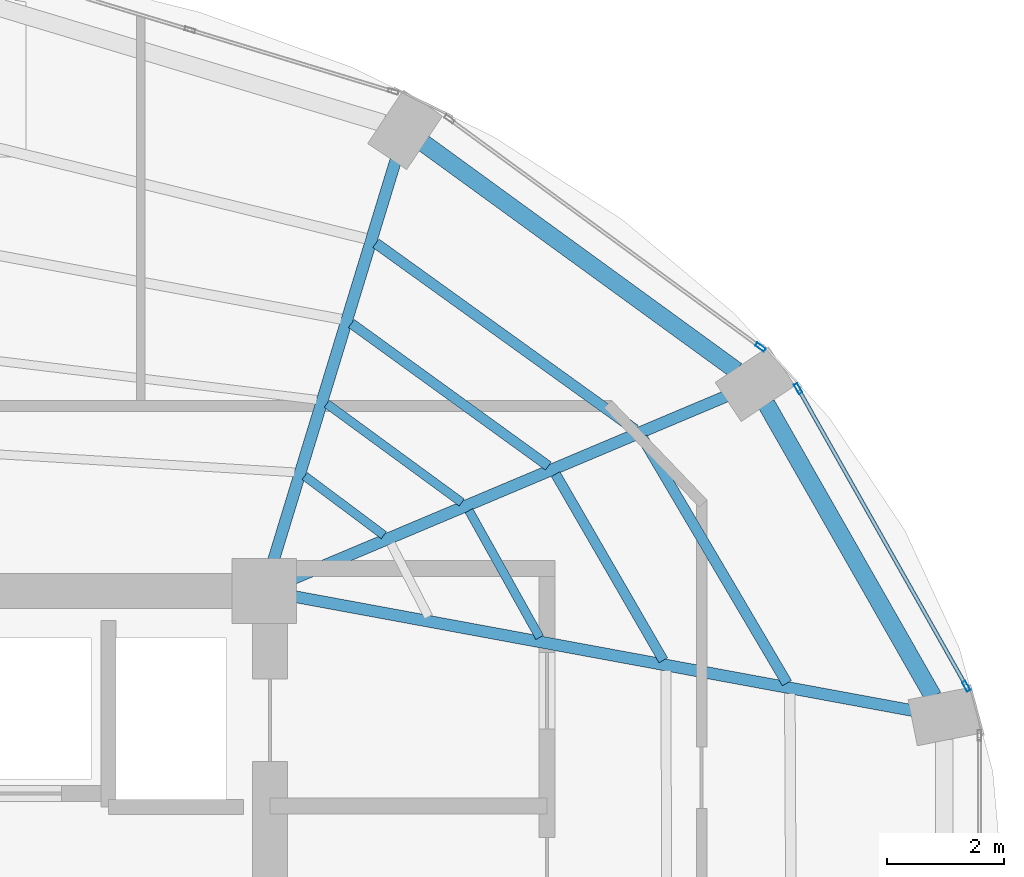
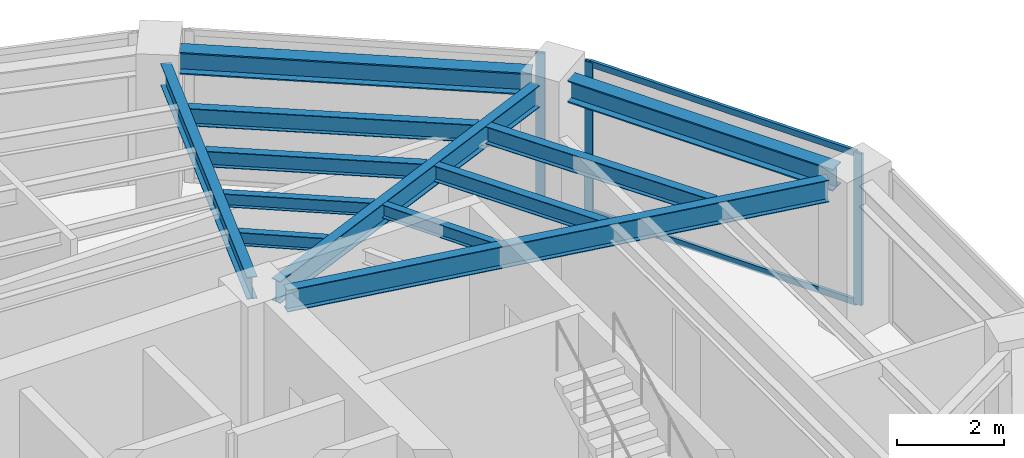
# One storey, part 15 of 23: 12 beams, 5 members, 2 elements without a shape of their own.
"""IFC4 building model written with IfcOpenShell, lengths in metres."""

from ifc_helpers import new_model, si_unit, direction, frame, origin, origin_2d, place, context, subcontext, project, spatial, hollow_rectangle, i_section, extrude, material, layer, layer_set, material_profile, profile_set, type_object, element, aggregate, save


model = new_model("IFC4")

# Units and contexts
model_context = context("Model", 3, precision=1e-05, world=origin(), true_north=direction((0.0, 1.0)))
body_context = subcontext(model_context, "Body", "Model", "MODEL_VIEW")
ifc_project = project(units=[si_unit("LENGTHUNIT", "METRE"), si_unit("AREAUNIT", "SQUARE_METRE"), si_unit("VOLUMEUNIT", "CUBIC_METRE"), si_unit("PLANEANGLEUNIT", "RADIAN"), si_unit("MASSUNIT", "GRAM", prefix="KILO")], contexts=[model_context])

# Site, building, storey
site_placement = place(None, origin())
site = spatial("IfcSite", under=ifc_project, at=site_placement, CompositionType="ELEMENT")
building_placement = place(site_placement, origin())
building = spatial("IfcBuilding", under=site, at=building_placement, Name="Lazwardi Medical Tower", CompositionType="ELEMENT")
storey_placement = place(building_placement, frame((0.0, 0.0, 205.77587890625)))
storey = spatial("IfcBuildingStorey", under=building, at=storey_placement, Name="L53", CompositionType="ELEMENT", Elevation=205.77587890625)

# Beams
ifc_material_1 = material(Name="Steel S355", Category="steel")
ifc_material_profile_1 = material_profile(ifc_material_1, i_section(OverallWidth=0.300048828125, OverallDepth=0.5, WebThickness=0.014404296875, FlangeThickness=0.028076171875, at=origin_2d()), Name="HEB 500")
ifc_profile_set_1 = profile_set([ifc_material_profile_1], Name="Steel S355")
beam_type_1 = type_object("IfcBeamType", Name="BM-RB-Z4", PredefinedType="BEAM", material=ifc_profile_set_1)
beam_1_placement = place(storey_placement, frame((56.991943359375, 33.8017578125, 3.1982421875), z_axis=(-0.495125273299, 0.868821594886, 0.0), x_axis=(-0.868821594886, -0.495125273299, 0.0)))
element("IfcBeam", 1, at=beam_1_placement, inside=storey, type_object=beam_type_1, Name="Ring beam RB-05 B05 L53", PredefinedType="BEAM", context=body_context, shape_type="SweptSolid", body=[
    extrude(i_section(OverallWidth=0.300048828125, OverallDepth=0.5, WebThickness=0.014404296875, FlangeThickness=0.028076171875, at=origin_2d()), origin(), (0.0, 0.0, 1.0), 5.734130859375),
])
beam_2_placement = place(storey_placement, frame((53.644287109375, 39.351806640625, 3.1982421875), z_axis=(-0.808889916254, 0.587960120571, 0.0), x_axis=(-0.587960120571, -0.808889916254, 0.0)))
element("IfcBeam", 2, at=beam_2_placement, inside=storey, type_object=beam_type_1, Name="Ring beam RB-05 B06 L53", PredefinedType="BEAM", context=body_context, shape_type="SweptSolid", body=[
    extrude(i_section(OverallWidth=0.300048828125, OverallDepth=0.5, WebThickness=0.014404296875, FlangeThickness=0.028076171875, at=origin_2d()), origin(), (0.0, 0.0, 1.0), 6.587158203125),
])
ifc_material_profile_2 = material_profile(ifc_material_1, i_section(OverallWidth=0.199951171875, OverallDepth=0.5, WebThickness=0.01025390625, FlangeThickness=0.01611328125, at=origin_2d()), Name="IPE 500")
ifc_profile_set_2 = profile_set([ifc_material_profile_2], Name="Steel S355")
beam_type_2 = type_object("IfcBeamType", Name="BM-RG-W3", PredefinedType="BEAM", material=ifc_profile_set_2)
beam_3_placement = place(storey_placement, frame((56.658935546875, 33.56005859375, 3.1982421875), z_axis=(-0.983409341459, 0.181400295288, 0.0), x_axis=(-0.181400295288, -0.983409341459, 0.0)))
element("IfcBeam", 3, at=beam_3_placement, inside=storey, type_object=beam_type_2, Name="Radial girder RG-04 R05 L53", PredefinedType="BEAM", context=body_context, shape_type="SweptSolid", body=[
    extrude(i_section(OverallWidth=0.199951171875, OverallDepth=0.5, WebThickness=0.01025390625, FlangeThickness=0.01611328125, at=origin_2d()), origin(), (0.0, 0.0, 1.0), 10.71044921875),
])
beam_4_placement = place(storey_placement, frame((53.466796875, 38.914794921875, 3.1982421875), z_axis=(-0.921526791352, -0.388314785735, 0.0), x_axis=(0.388314785735, -0.921526791352, 0.0)))
element("IfcBeam", 4, at=beam_4_placement, inside=storey, type_object=beam_type_2, Name="Radial girder RG-04 R06 L53", PredefinedType="BEAM", context=body_context, shape_type="SweptSolid", body=[
    extrude(i_section(OverallWidth=0.199951171875, OverallDepth=0.5, WebThickness=0.01025390625, FlangeThickness=0.01611328125, at=origin_2d()), origin(), (0.0, 0.0, 1.0), 8.001708984375),
])
beam_5_placement = place(storey_placement, frame((47.843994140625, 42.9423828125, 3.1982421875), z_axis=(-0.292276716539, -0.956333791607, 0.0), x_axis=(0.956333791607, -0.292276716539, 0.0)))
element("IfcBeam", 5, at=beam_5_placement, inside=storey, type_object=beam_type_2, Name="Radial girder RG-04 R07 L53", PredefinedType="BEAM", context=body_context, shape_type="SweptSolid", body=[
    extrude(i_section(OverallWidth=0.199951171875, OverallDepth=0.5, WebThickness=0.01025390625, FlangeThickness=0.01611328125, at=origin_2d()), origin(), (0.0, 0.0, 1.0), 7.142822265625),
])
ifc_material_profile_3 = material_profile(ifc_material_1, i_section(OverallWidth=0.179931640625, OverallDepth=0.39990234375, WebThickness=0.008544921875, FlangeThickness=0.013427734375, at=origin_2d()), Name="IPE 400")
ifc_profile_set_3 = profile_set([ifc_material_profile_3], Name="Steel S355")
beam_type_3 = type_object("IfcBeamType", Name="BM-SJ-01", PredefinedType="JOIST", material=ifc_profile_set_3)
beam_6_placement = place(storey_placement, frame((54.504150390625, 34.030517578125, 3.248046875), z_axis=(-0.507710311367, 0.861527851977, 0.0), x_axis=(-0.861527851977, -0.507710311367, 0.0)))
element("IfcBeam", 6, at=beam_6_placement, inside=storey, type_object=beam_type_3, Name="Secondary joist SJ-01 R1 B05 L53", PredefinedType="JOIST", context=body_context, shape_type="SweptSolid", body=[
    extrude(i_section(OverallWidth=0.179931640625, OverallDepth=0.39990234375, WebThickness=0.008544921875, FlangeThickness=0.013427734375, at=origin_2d()), origin(), (0.0, 0.0, 1.0), 4.852783203125),
])
beam_7_placement = place(storey_placement, frame((51.914794921875, 38.348876953125, 3.248046875), z_axis=(-0.811889581337, 0.58381102055, 0.0), x_axis=(-0.58381102055, -0.811889581337, 0.0)))
element("IfcBeam", 7, at=beam_7_placement, inside=storey, type_object=beam_type_3, Name="Secondary joist SJ-01 R1 B06 L53", PredefinedType="JOIST", context=body_context, shape_type="SweptSolid", body=[
    extrude(i_section(OverallWidth=0.179931640625, OverallDepth=0.39990234375, WebThickness=0.008544921875, FlangeThickness=0.013427734375, at=origin_2d()), origin(), (0.0, 0.0, 1.0), 5.433349609375),
])
ifc_material_profile_4 = material_profile(ifc_material_1, i_section(OverallWidth=0.169921875, OverallDepth=0.360107421875, WebThickness=0.008056640625, FlangeThickness=0.0126953125, at=origin_2d()), Name="IPE 360")
ifc_profile_set_4 = profile_set([ifc_material_profile_4], Name="Steel S355")
beam_type_4 = type_object("IfcBeamType", Name="BM-SJ-02", PredefinedType="JOIST", material=ifc_profile_set_4)
beam_8_placement = place(storey_placement, frame((52.398193359375, 34.41943359375, 3.26806640625), z_axis=(-0.500655179543, 0.865646805109, 0.0), x_axis=(-0.865646805109, -0.500655179543, 0.0)))
element("IfcBeam", 8, at=beam_8_placement, inside=storey, type_object=beam_type_4, Name="Secondary joist SJ-02 R2 B05 L53", PredefinedType="JOIST", context=body_context, shape_type="SweptSolid", body=[
    extrude(i_section(OverallWidth=0.169921875, OverallDepth=0.360107421875, WebThickness=0.008056640625, FlangeThickness=0.0126953125, at=origin_2d()), origin(), (0.0, 0.0, 1.0), 3.662109375),
])
beam_9_placement = place(storey_placement, frame((50.440185546875, 37.7275390625, 3.26806640625), z_axis=(-0.810164229155, 0.586202969796, 0.0), x_axis=(-0.586202969796, -0.810164229155, 0.0)))
element("IfcBeam", 9, at=beam_9_placement, inside=storey, type_object=beam_type_4, Name="Secondary joist SJ-02 R2 B06 L53", PredefinedType="JOIST", context=body_context, shape_type="SweptSolid", body=[
    extrude(i_section(OverallWidth=0.169921875, OverallDepth=0.360107421875, WebThickness=0.008056640625, FlangeThickness=0.0126953125, at=origin_2d()), origin(), (0.0, 0.0, 1.0), 4.14013671875),
])
ifc_material_profile_5 = material_profile(ifc_material_1, i_section(OverallWidth=0.14990234375, OverallDepth=0.300048828125, WebThickness=0.007080078125, FlangeThickness=0.0107421875, at=origin_2d()), Name="IPE 300")
ifc_profile_set_5 = profile_set([ifc_material_profile_5], Name="Steel S355")
beam_type_5 = type_object("IfcBeamType", Name="BM-SJ-03", PredefinedType="JOIST", material=ifc_profile_set_5)
beam_10_placement = place(storey_placement, frame((50.29296875, 34.80859375, 3.298095703125), z_axis=(-0.487092942089, 0.873350139272, 0.0), x_axis=(-0.873350139272, -0.487092942089, 0.0)))
element("IfcBeam", 10, at=beam_10_placement, inside=storey, type_object=beam_type_5, Name="Secondary joist SJ-03 R3 B05 L53", PredefinedType="JOIST", context=body_context, shape_type="SweptSolid", body=[
    extrude(i_section(OverallWidth=0.14990234375, OverallDepth=0.300048828125, WebThickness=0.007080078125, FlangeThickness=0.0107421875, at=origin_2d()), origin(), (0.0, 0.0, 1.0), 2.471923828125),
])
beam_11_placement = place(storey_placement, frame((48.9658203125, 37.106689453125, 3.298095703125), z_axis=(-0.80703431267, 0.59050454543, 0.0), x_axis=(-0.59050454543, -0.80703431267, 0.0)))
element("IfcBeam", 11, at=beam_11_placement, inside=storey, type_object=beam_type_5, Name="Secondary joist SJ-03 R3 B06 L53", PredefinedType="JOIST", context=body_context, shape_type="SweptSolid", body=[
    extrude(i_section(OverallWidth=0.14990234375, OverallDepth=0.300048828125, WebThickness=0.007080078125, FlangeThickness=0.0107421875, at=origin_2d()), origin(), (0.0, 0.0, 1.0), 2.846923828125),
])
beam_12_placement = place(storey_placement, frame((47.63916015625, 36.548095703125, 3.298095703125), z_axis=(-0.800365301971, 0.599512621553, 0.0), x_axis=(-0.599512621553, -0.800365301971, 0.0)))
element("IfcBeam", 12, at=beam_12_placement, inside=storey, type_object=beam_type_5, Name="Secondary joist SJ-03 R4 B06 L53", PredefinedType="JOIST", context=body_context, shape_type="SweptSolid", body=[
    extrude(i_section(OverallWidth=0.14990234375, OverallDepth=0.300048828125, WebThickness=0.007080078125, FlangeThickness=0.0107421875, at=origin_2d()), origin(), (0.0, 0.0, 1.0), 1.68359375),
])

# Curtain wall, members
ifc_material_2 = material(Name="Anodised bronze aluminium and solar control glazing", Category="aluminium")
ifc_layer = layer(ifc_material_2, 0.18994140625)
ifc_layer_set = layer_set([ifc_layer], Name="Anodised bronze aluminium and solar control glazing")
curtain_wall_type = type_object("IfcCurtainWallType", Name="CW-SYS-04", PredefinedType="NOTDEFINED", material=ifc_layer_set)
curtain_wall_1_placement = place(storey_placement, origin())
curtain_wall_1 = element("IfcCurtainWall", 13, at=curtain_wall_1_placement, inside=storey, type_object=curtain_wall_type, Name="L53 Unitised bronze curtain wall CW-04", PredefinedType="NOTDEFINED")
ifc_material_3 = material(Name="Anodised bronze aluminium", Category="aluminium")
ifc_material_profile_6 = material_profile(ifc_material_3, hollow_rectangle(XDim=0.06494140625, YDim=0.179931640625, WallThickness=0.00390625, at=origin_2d()), Name="ALU-MULLION 180x65x4")
ifc_profile_set_6 = profile_set([ifc_material_profile_6], Name="Anodised bronze aluminium")
member_type_1 = type_object("IfcMemberType", Name="CW-MUL-03", PredefinedType="MULLION", material=ifc_profile_set_6)
member_1_placement = place(storey_placement, frame((57.557373046875, 33.978271484375, 0.0), z_axis=(0.0, 0.0, 1.0), x_axis=(-0.870651436011, -0.491900474661, 0.0)))
member_1 = element("IfcMember", 14, at=member_1_placement, type_object=member_type_1, Name="CW-04 mullion 1", PredefinedType="MULLION", context=body_context, shape_type="SweptSolid", body=[
    extrude(hollow_rectangle(XDim=0.06494140625, YDim=0.179931640625, WallThickness=0.00390625, at=origin_2d()), origin(), (0.0, 0.0, 1.0), 3.4482421875),
])
member_2_placement = place(storey_placement, frame((54.6943359375, 39.04541015625, 0.0), z_axis=(0.0, 0.0, 1.0), x_axis=(-0.870651436011, -0.491900474661, 0.0)))
member_2 = element("IfcMember", 15, at=member_2_placement, type_object=member_type_1, Name="CW-04 mullion 2", PredefinedType="MULLION", context=body_context, shape_type="SweptSolid", body=[
    extrude(hollow_rectangle(XDim=0.06494140625, YDim=0.179931640625, WallThickness=0.00390625, at=origin_2d()), origin(), (0.0, 0.0, 1.0), 3.4482421875),
])

# Curtain wall, member
curtain_wall_2_placement = place(storey_placement, origin())
curtain_wall_2 = element("IfcCurtainWall", 16, at=curtain_wall_2_placement, inside=storey, type_object=curtain_wall_type, Name="L53 Unitised bronze curtain wall CW-04", PredefinedType="NOTDEFINED")
member_3_placement = place(storey_placement, frame((54.052001953125, 39.751708984375, 0.0), z_axis=(0.0, 0.0, 1.0), x_axis=(-0.591268230971, -0.806474971121, 0.0)))
member_3 = element("IfcMember", 17, at=member_3_placement, type_object=member_type_1, Name="CW-04 mullion 1", PredefinedType="MULLION", context=body_context, shape_type="SweptSolid", body=[
    extrude(hollow_rectangle(XDim=0.06494140625, YDim=0.179931640625, WallThickness=0.00390625, at=origin_2d()), origin(), (0.0, 0.0, 1.0), 3.4482421875),
])
aggregate(curtain_wall_2, [member_3])

# Member
ifc_material_profile_7 = material_profile(ifc_material_3, hollow_rectangle(XDim=0.06494140625, YDim=0.139892578125, WallThickness=0.00341796875, at=origin_2d()), Name="ALU-TRANSOM 140x65x3.5")
ifc_profile_set_7 = profile_set([ifc_material_profile_7], Name="Anodised bronze aluminium")
member_type_2 = type_object("IfcMemberType", Name="CW-TRN-03", PredefinedType="USERDEFINED", material=ifc_profile_set_7)
member_4_placement = place(storey_placement, frame((57.541259765625, 34.006591796875, 0.03271484375), z_axis=(-0.491897887635, 0.870652897623, 0.0), x_axis=(-0.870652897623, -0.491897887635, 0.0)))
member_4 = element("IfcMember", 18, at=member_4_placement, type_object=member_type_2, Name="CW-04 transom 1.1", ObjectType="TRANSOM", PredefinedType="USERDEFINED", context=body_context, shape_type="SweptSolid", body=[
    extrude(hollow_rectangle(XDim=0.06494140625, YDim=0.139892578125, WallThickness=0.00341796875, at=origin_2d()), origin(), (0.0, 0.0, 1.0), 5.7548828125),
])

member_5_placement = place(storey_placement, frame((57.541259765625, 34.006591796875, 3.41552734375), z_axis=(-0.491897887635, 0.870652897623, 0.0), x_axis=(-0.870652897623, -0.491897887635, 0.0)))
member_5 = element("IfcMember", 19, at=member_5_placement, type_object=member_type_2, Name="CW-04 transom 1.2", ObjectType="TRANSOM", PredefinedType="USERDEFINED", context=body_context, shape_type="SweptSolid", body=[
    extrude(hollow_rectangle(XDim=0.06494140625, YDim=0.139892578125, WallThickness=0.00341796875, at=origin_2d()), origin(), (0.0, 0.0, 1.0), 5.7548828125),
])

aggregate(curtain_wall_1, [member_1, member_2, member_4, member_5])

save(model, "model.ifc")
